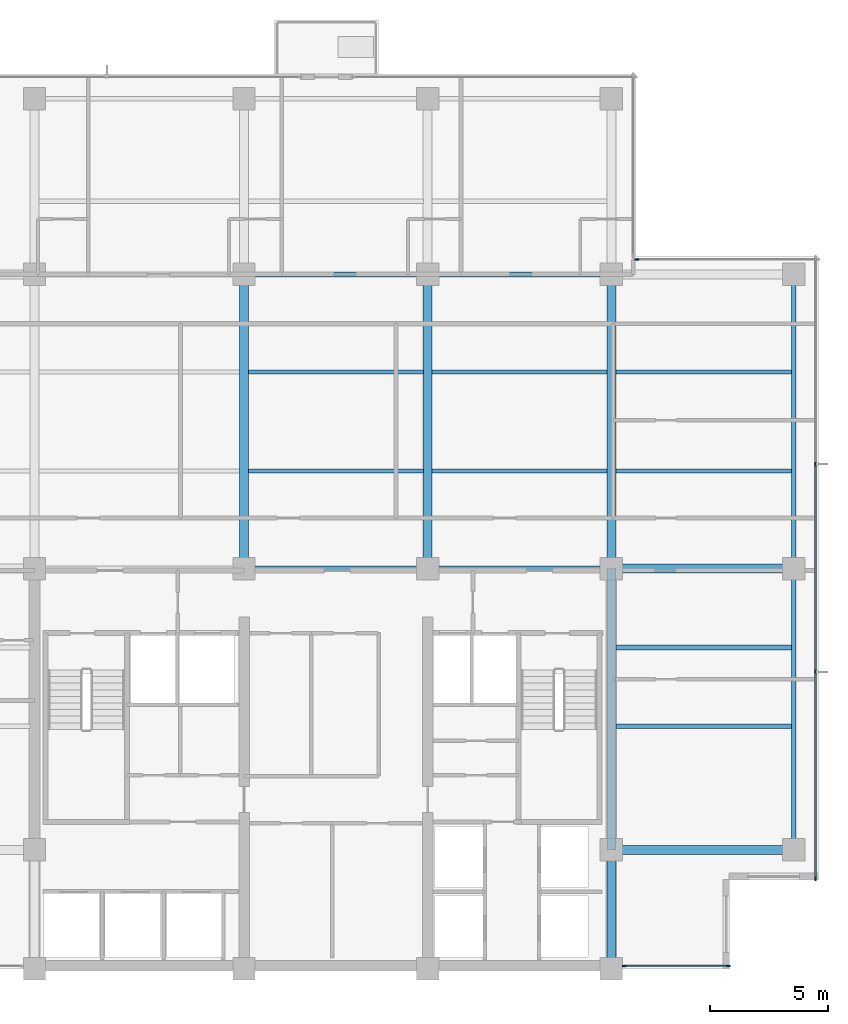
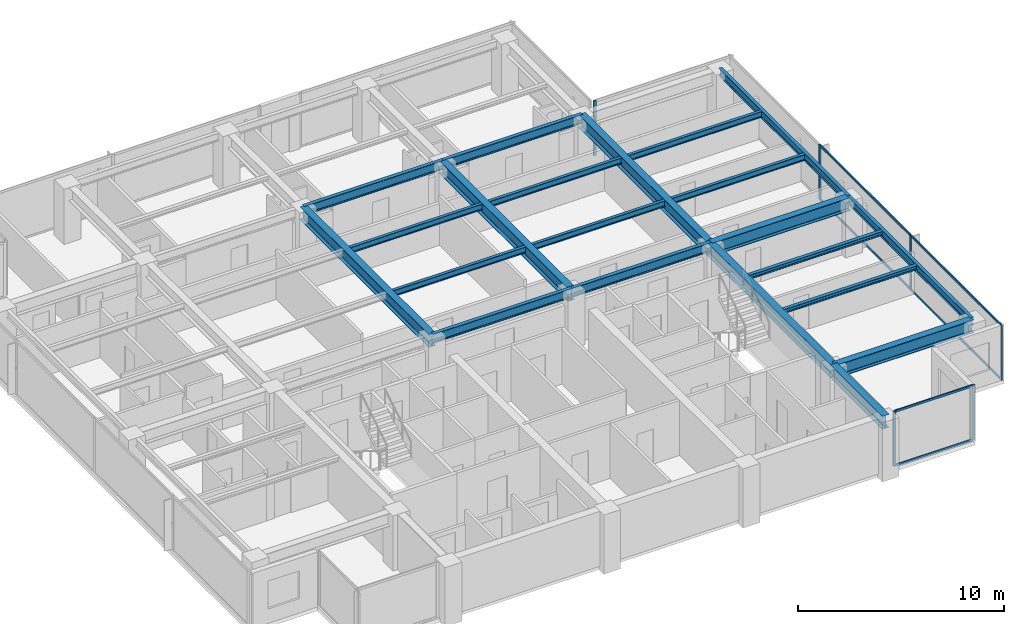
# One storey, part 3 of 15: 21 beams, 12 members, 3 elements without a shape of their own.
"""IFC4 building model written with IfcOpenShell, lengths in metres."""

import ifcopenshell
import ifcopenshell.guid

model = None  # the IFC model being written
_history = None  # IfcOwnerHistory: only IFC2X3 demands one
_inside = {}  # id of a spatial element -> (the spatial element, [elements in it])
_under = {}  # id of a project, library or spatial element -> (it, [spatial elements below it])
_declared = {}  # id of a project -> (the project, [libraries it declares])
_typed = {}  # id of a type object -> (the type object, [elements of that type])
_made_of = {}  # id of a material, layer set ... -> (it, [elements and type objects made of it])


def new_model(schema):
    """Start an empty IFC model of exactly this schema.

    Asked for "IFC4X3", IfcOpenShell would pick the latest addendum, in which some entities
    have other attributes; the version numbers below select the first issue.
    IFC2X3 requires an IfcOwnerHistory on every rooted entity: one is made here for all.
    """
    global model, _history
    if schema == "IFC4X3":
        model = ifcopenshell.file(schema_version=(4, 3, 0, 0))
    else:
        model = ifcopenshell.file(schema=schema)
    _inside.clear()
    _under.clear()
    _declared.clear()
    _typed.clear()
    _made_of.clear()
    _history = None
    if model.schema == "IFC2X3":
        org = make("IfcOrganization", Name="unknown")
        user = make(
            "IfcPersonAndOrganization",
            ThePerson=make("IfcPerson", FamilyName="unknown"),
            TheOrganization=org,
        )
        app = make(
            "IfcApplication",
            ApplicationDeveloper=org,
            Version="unknown",
            ApplicationFullName="unknown",
            ApplicationIdentifier="unknown",
        )
        _history = make(
            "IfcOwnerHistory",
            OwningUser=user,
            OwningApplication=app,
            ChangeAction="ADDED",
            CreationDate=0,
        )
    return model


def make(cls, **values):
    """One entity of the class cls with the attributes given. An attribute that is None is left unset."""
    return model.create_entity(
        cls, **{name: value for name, value in values.items() if value is not None}
    )


def rooted(cls, **values):
    """An entity with a GlobalId (a new one), such as an element, a storey or a relation."""
    return make(cls, GlobalId=ifcopenshell.guid.new(), OwnerHistory=_history, **values)


def si_unit(unit_type, name, prefix=None):
    """IfcSIUnit, for example si_unit("LENGTHUNIT", "METRE", prefix="MILLI")."""
    return make("IfcSIUnit", UnitType=unit_type, Prefix=prefix, Name=name)


def assignment(units):
    """IfcUnitAssignment: the units of a project."""
    return None if units is None else make("IfcUnitAssignment", Units=units)


def point(xyz):
    """IfcCartesianPoint."""
    return None if xyz is None else make("IfcCartesianPoint", Coordinates=xyz)


def direction(xyz):
    """IfcDirection."""
    return None if xyz is None else make("IfcDirection", DirectionRatios=xyz)


def frame(location, z_axis=None, x_axis=None):
    """IfcAxis2Placement3D, a coordinate frame: its origin and axes. An axis left out is left unset."""
    return make(
        "IfcAxis2Placement3D",
        Location=point(location),
        Axis=direction(z_axis),
        RefDirection=direction(x_axis),
    )


def frame_2d(location, x_axis=None):
    """IfcAxis2Placement2D, a coordinate frame in the plane: its origin and x axis."""
    return make(
        "IfcAxis2Placement2D", Location=point(location), RefDirection=direction(x_axis)
    )


def origin():
    """The frame at (0, 0, 0) with its axes left unset."""
    return frame((0.0, 0.0, 0.0))


def origin_2d():
    """The frame at (0, 0) in the plane with its x axis left unset."""
    return frame_2d((0.0, 0.0))


def place(relative_to, where):
    """IfcLocalPlacement: puts the frame where relative to a parent placement (None: the world)."""
    return make(
        "IfcLocalPlacement", PlacementRelTo=relative_to, RelativePlacement=where
    )


def context(
    kind, dimensions, precision=None, world=None, true_north=None, identifier=None
):
    """IfcGeometricRepresentationContext, for example the 3D "Model" context."""
    return make(
        "IfcGeometricRepresentationContext",
        ContextIdentifier=identifier,
        ContextType=kind,
        CoordinateSpaceDimension=dimensions,
        Precision=precision,
        WorldCoordinateSystem=world,
        TrueNorth=true_north,
    )


def subcontext(parent, identifier, kind, view, scale=None):
    """IfcGeometricRepresentationSubContext, for example "Body" below "Model"."""
    return make(
        "IfcGeometricRepresentationSubContext",
        ContextIdentifier=identifier,
        ContextType=kind,
        ParentContext=parent,
        TargetScale=scale,
        TargetView=view,
    )


def project(units=None, contexts=None):
    """IfcProject with its units and contexts."""
    return rooted(
        "IfcProject",
        Name="project",
        RepresentationContexts=contexts,
        UnitsInContext=assignment(units),
    )


def spatial(cls, under=None, at=None, **own):
    """A site, building, storey or space (cls), placed at a placement, below another one or the project."""
    s = rooted(cls, ObjectPlacement=at, **own)
    if under is not None:
        _under.setdefault(under.id(), (under, []))[1].append(s)
    return s


def profile(cls, at=None, kind="AREA", **sizes):
    """A parametric profile (cls). Its sizes go by their IFC names, for example OverallWidth=200.0."""
    return make(cls, ProfileType=kind, Position=at, **sizes)


def rectangle(**sizes):
    """IfcRectangleProfileDef."""
    return profile("IfcRectangleProfileDef", **sizes)


def i_section(**sizes):
    """IfcIShapeProfileDef."""
    return profile("IfcIShapeProfileDef", **sizes)


def extrude(swept, where, along, depth):
    """IfcExtrudedAreaSolid: the profile swept, set in the frame where, extruded along a direction by depth."""
    return make(
        "IfcExtrudedAreaSolid",
        SweptArea=swept,
        Position=where,
        ExtrudedDirection=direction(along),
        Depth=depth,
    )


def shape(context_of_items, identifier, shape_type, items):
    """IfcShapeRepresentation: the items that make up one representation, for example the "Body"."""
    return make(
        "IfcShapeRepresentation",
        ContextOfItems=context_of_items,
        RepresentationIdentifier=identifier,
        RepresentationType=shape_type,
        Items=items,
    )


def material(Name=None, Category=None):
    """IfcMaterial."""
    return make("IfcMaterial", Name=Name, Category=Category)


def layer(
    of_material, thickness, ventilated=None, Name=None, Category=None, Priority=None
):
    """IfcMaterialLayer: one layer of a wall or slab, of a material (None: an air gap)."""
    return make(
        "IfcMaterialLayer",
        Material=of_material,
        LayerThickness=thickness,
        IsVentilated=ventilated,
        Name=Name,
        Category=Category,
        Priority=Priority,
    )


def layer_set(layers, Name=None):
    """IfcMaterialLayerSet."""
    return make("IfcMaterialLayerSet", MaterialLayers=layers, LayerSetName=Name)


def material_profile(
    of_material, cross_section, Name=None, Category=None, Priority=None
):
    """IfcMaterialProfile: a cross section and its material."""
    return make(
        "IfcMaterialProfile",
        Name=Name,
        Material=of_material,
        Profile=cross_section,
        Priority=Priority,
        Category=Category,
    )


def profile_set(profiles, Name=None, composite=None):
    """IfcMaterialProfileSet."""
    return make(
        "IfcMaterialProfileSet",
        Name=Name,
        MaterialProfiles=profiles,
        CompositeProfile=composite,
    )


def made_of(thing, what):
    """Note that an element or type object is made of a material, layer set ...; save() writes the relation."""
    if what is not None:
        _made_of.setdefault(what.id(), (what, []))[1].append(thing)
    return thing


def type_object(cls, material=None, **own):
    """A type object (cls), such as IfcWallType, which elements share."""
    return made_of(rooted(cls, **own), material)


def element(
    cls,
    number,
    at=None,
    inside=None,
    cuts=None,
    type_object=None,
    material=None,
    context=None,
    identifier="Body",
    shape_type=None,
    held_by="IfcProductDefinitionShape",
    body=None,
    shapes=None,
    **own,
):
    """One element of the class cls, such as IfcWall. Its Tag is "e" and its number.

    at: its placement. inside: the storey or other place that contains it. cuts: it is an
    opening in that element (IfcRelVoidsElement). A single representation is given by context,
    identifier, shape_type and body (its items); several are given by shapes. held_by: the class
    of the entity that holds the representations. save() writes the other relations.
    """
    e = rooted(cls, Tag="e%d" % number, ObjectPlacement=at, **own)
    if body is not None:
        shapes = [shape(context, identifier, shape_type, body)]
    if shapes is not None:
        e.Representation = make(held_by, Representations=shapes)
    if inside is not None:
        _inside.setdefault(inside.id(), (inside, []))[1].append(e)
    if cuts is not None:
        rooted(
            "IfcRelVoidsElement", RelatingBuildingElement=cuts, RelatedOpeningElement=e
        )
    if type_object is not None:
        _typed.setdefault(type_object.id(), (type_object, []))[1].append(e)
    return made_of(e, material)


def aggregate(whole, parts):
    """IfcRelAggregates: a whole, such as a stair, and the parts it consists of."""
    return rooted("IfcRelAggregates", RelatingObject=whole, RelatedObjects=parts)


def save(model, path):
    """Write the relations noted so far, then the file.

    IfcRelAggregates (storeys below a building ...), IfcRelContainedInSpatialStructure (elements
    in a storey), IfcRelDefinesByType, IfcRelAssociatesMaterial and IfcRelDeclares: one each for
    every whole, place, type object, material and project.
    """
    for whole, parts in _under.values():
        aggregate(whole, parts)
    for where, things in _inside.values():
        rooted(
            "IfcRelContainedInSpatialStructure",
            RelatedElements=things,
            RelatingStructure=where,
        )
    for kind, things in _typed.values():
        rooted("IfcRelDefinesByType", RelatedObjects=things, RelatingType=kind)
    for what, things in _made_of.values():
        rooted("IfcRelAssociatesMaterial", RelatedObjects=things, RelatingMaterial=what)
    for by, libraries in _declared.values():
        rooted("IfcRelDeclares", RelatingContext=by, RelatedDefinitions=libraries)
    model.write(path)


model = new_model("IFC4")

# Units and contexts
model_context = context("Model", 3, precision=1e-05, world=origin(), true_north=direction((0.0, 1.0)))
body_context = subcontext(model_context, "Body", "Model", "MODEL_VIEW")
ifc_project = project(units=[si_unit("LENGTHUNIT", "METRE"), si_unit("AREAUNIT", "SQUARE_METRE"), si_unit("VOLUMEUNIT", "CUBIC_METRE"), si_unit("PLANEANGLEUNIT", "RADIAN"), si_unit("MASSUNIT", "GRAM", prefix="KILO")], contexts=[model_context])

# Site, building, storey
site_placement = place(None, origin())
site = spatial("IfcSite", under=ifc_project, at=site_placement, CompositionType="ELEMENT")
building_placement = place(site_placement, origin())
building = spatial("IfcBuilding", under=site, at=building_placement, Name="Qalmaran Belvedere Hotel", CompositionType="ELEMENT")
storey_placement = place(building_placement, frame((0.0, 0.0, 214.39990234375)))
storey = spatial("IfcBuildingStorey", under=building, at=storey_placement, Name="L54", CompositionType="ELEMENT", Elevation=214.39990234375)

# Beams
ifc_material_1 = material(Name="Steel S355JR", Category="steel")
ifc_material_profile_1 = material_profile(ifc_material_1, i_section(OverallWidth=0.201904296875, OverallDepth=0.2470703125, WebThickness=0.00732421875, FlangeThickness=0.010986328125, FilletRadius=0.011962890625, at=origin_2d()), Name="W250X49")
ifc_profile_set_1 = profile_set([ifc_material_profile_1], Name="Steel S355JR")
beam_type_1 = type_object("IfcBeamType", Name="BM-JST-W250X49", PredefinedType="JOIST", material=ifc_profile_set_1)
for number, where, z_axis, x_axis, name in (
    (1, (44.988525390625, 13.800048828125, 3.13671875), (1.0, 0.0, 0.0), (0.0, 1.0, 0.0), "L54 East Wing Joist 039"),
    (2, (44.988525390625, 17.14990234375, 3.13671875), (1.0, 0.0, 0.0), (0.0, 1.0, 0.0), "L54 East Wing Joist 041"),
):
    element("IfcBeam", number, at=place(storey_placement, frame(where, z_axis=z_axis, x_axis=x_axis)), inside=storey, type_object=beam_type_1, Name=name, PredefinedType="JOIST", context=body_context, shape_type="SweptSolid", body=[
        extrude(i_section(OverallWidth=0.201904296875, OverallDepth=0.2470703125, WebThickness=0.00732421875, FlangeThickness=0.010986328125, FilletRadius=0.011962890625, at=origin_2d()), origin(), (0.0, 0.0, 1.0), 7.467529296875),
    ])
ifc_material_profile_2 = material_profile(ifc_material_1, i_section(OverallWidth=0.381103515625, OverallDepth=0.77294921875, WebThickness=0.0166015625, FlangeThickness=0.027099609375, FilletRadius=0.02197265625, at=origin_2d()), Name="W760X257")
ifc_profile_set_2 = profile_set([ifc_material_profile_2], Name="Steel S355JR")
beam_type_2 = type_object("IfcBeamType", Name="BM-PG4-W760X257", PredefinedType="USERDEFINED", material=ifc_profile_set_2)
for number, where, z_axis, x_axis, name in (
    (3, (29.199951171875, 20.5, 2.87353515625), (0.0, 1.0, 0.0), (-1.0, 0.0, 0.0), "L54 Mid-Plate N-S Girder 16"),
    (4, (37.0, 20.5, 2.87353515625), (0.0, 1.0, 0.0), (-1.0, 0.0, 0.0), "L54 Mid-Plate N-S Girder 18"),
    (5, (44.800048828125, 20.5, 2.87353515625), (0.0, 1.0, 0.0), (-1.0, 0.0, 0.0), "L54 Mid-Plate N-S Girder 20"),
):
    element("IfcBeam", number, at=place(storey_placement, frame(where, z_axis=z_axis, x_axis=x_axis)), inside=storey, type_object=beam_type_2, Name=name, ObjectType="GIRDER", PredefinedType="USERDEFINED", context=body_context, shape_type="SweptSolid", body=[
        extrude(i_section(OverallWidth=0.381103515625, OverallDepth=0.77294921875, WebThickness=0.0166015625, FlangeThickness=0.027099609375, FilletRadius=0.02197265625, at=origin_2d()), origin(), (0.0, 0.0, 1.0), 12.5),
    ])
beam_1_placement = place(storey_placement, frame((44.800048828125, 3.5, 2.87353515625), z_axis=(0.0, 1.0, 0.0), x_axis=(-1.0, 0.0, 0.0)))
element("IfcBeam", 6, at=beam_1_placement, inside=storey, type_object=beam_type_2, Name="L54 East Core Edge Girder A", ObjectType="GIRDER", PredefinedType="USERDEFINED", context=body_context, shape_type="SweptSolid", body=[
    extrude(i_section(OverallWidth=0.381103515625, OverallDepth=0.77294921875, WebThickness=0.0166015625, FlangeThickness=0.027099609375, FilletRadius=0.02197265625, at=origin_2d()), origin(), (0.0, 0.0, 1.0), 5.050048828125),
])
beam_2_placement = place(storey_placement, frame((44.800048828125, 8.550048828125, 2.87353515625), z_axis=(0.0, 1.0, 0.0), x_axis=(-1.0, 0.0, 0.0)))
element("IfcBeam", 7, at=beam_2_placement, inside=storey, type_object=beam_type_2, Name="L54 East Core Edge Girder B", ObjectType="GIRDER", PredefinedType="USERDEFINED", context=body_context, shape_type="SweptSolid", body=[
    extrude(i_section(OverallWidth=0.381103515625, OverallDepth=0.77294921875, WebThickness=0.0166015625, FlangeThickness=0.027099609375, FilletRadius=0.02197265625, at=origin_2d()), origin(), (0.0, 0.0, 1.0), 11.949951171875),
])
for number, where, z_axis, x_axis, name in (
    (8, (44.800048828125, 8.550048828125, 2.87353515625), (1.0, 0.0, 0.0), (0.0, 1.0, 0.0), "L54 East Wing Girder 25"),
    (9, (44.800048828125, 20.5, 2.87353515625), (1.0, 0.0, 0.0), (0.0, 1.0, 0.0), "L54 East Wing Girder 26"),
):
    element("IfcBeam", number, at=place(storey_placement, frame(where, z_axis=z_axis, x_axis=x_axis)), inside=storey, type_object=beam_type_2, Name=name, ObjectType="GIRDER", PredefinedType="USERDEFINED", context=body_context, shape_type="SweptSolid", body=[
        extrude(i_section(OverallWidth=0.381103515625, OverallDepth=0.77294921875, WebThickness=0.0166015625, FlangeThickness=0.027099609375, FilletRadius=0.02197265625, at=origin_2d()), origin(), (0.0, 0.0, 1.0), 7.75),
    ])
ifc_material_profile_3 = material_profile(ifc_material_1, i_section(OverallWidth=0.172119140625, OverallDepth=0.35791015625, WebThickness=0.0078125, FlangeThickness=0.01318359375, FilletRadius=0.014892578125, at=origin_2d()), Name="W360X57")
ifc_profile_set_3 = profile_set([ifc_material_profile_3], Name="Steel S355JR")
beam_type_3 = type_object("IfcBeamType", Name="BM-SB4-W360X57", PredefinedType="BEAM", material=ifc_profile_set_3)
for number, where, z_axis, x_axis, name in (
    (10, (29.388427734375, 24.64990234375, 3.0810546875), (1.0, 0.0, 0.0), (0.0, 1.0, 0.0), "L54 Secondary Floor Beam 030"),
    (11, (37.1884765625, 24.64990234375, 3.0810546875), (1.0, 0.0, 0.0), (0.0, 1.0, 0.0), "L54 Secondary Floor Beam 031"),
):
    element("IfcBeam", number, at=place(storey_placement, frame(where, z_axis=z_axis, x_axis=x_axis)), inside=storey, type_object=beam_type_3, Name=name, PredefinedType="BEAM", context=body_context, shape_type="SweptSolid", body=[
        extrude(i_section(OverallWidth=0.172119140625, OverallDepth=0.35791015625, WebThickness=0.0078125, FlangeThickness=0.01318359375, FilletRadius=0.014892578125, at=origin_2d()), origin(), (0.0, 0.0, 1.0), 7.423095703125),
    ])
beam_3_placement = place(storey_placement, frame((44.988525390625, 24.64990234375, 3.0810546875), z_axis=(1.0, 0.0, 0.0), x_axis=(0.0, 1.0, 0.0)))
element("IfcBeam", 12, at=beam_3_placement, inside=storey, type_object=beam_type_3, Name="L54 East Secondary Beam 032", PredefinedType="BEAM", context=body_context, shape_type="SweptSolid", body=[
    extrude(i_section(OverallWidth=0.172119140625, OverallDepth=0.35791015625, WebThickness=0.0078125, FlangeThickness=0.01318359375, FilletRadius=0.014892578125, at=origin_2d()), origin(), (0.0, 0.0, 1.0), 7.467529296875),
])
for number, where, z_axis, x_axis, name in (
    (13, (29.388427734375, 28.85009765625, 3.0810546875), (1.0, 0.0, 0.0), (0.0, 1.0, 0.0), "L54 Secondary Floor Beam 035"),
    (14, (37.1884765625, 28.85009765625, 3.0810546875), (1.0, 0.0, 0.0), (0.0, 1.0, 0.0), "L54 Secondary Floor Beam 036"),
):
    element("IfcBeam", number, at=place(storey_placement, frame(where, z_axis=z_axis, x_axis=x_axis)), inside=storey, type_object=beam_type_3, Name=name, PredefinedType="BEAM", context=body_context, shape_type="SweptSolid", body=[
        extrude(i_section(OverallWidth=0.172119140625, OverallDepth=0.35791015625, WebThickness=0.0078125, FlangeThickness=0.01318359375, FilletRadius=0.014892578125, at=origin_2d()), origin(), (0.0, 0.0, 1.0), 7.423095703125),
    ])
beam_4_placement = place(storey_placement, frame((44.988525390625, 28.85009765625, 3.0810546875), z_axis=(1.0, 0.0, 0.0), x_axis=(0.0, 1.0, 0.0)))
element("IfcBeam", 15, at=beam_4_placement, inside=storey, type_object=beam_type_3, Name="L54 East Secondary Beam 037", PredefinedType="BEAM", context=body_context, shape_type="SweptSolid", body=[
    extrude(i_section(OverallWidth=0.172119140625, OverallDepth=0.35791015625, WebThickness=0.0078125, FlangeThickness=0.01318359375, FilletRadius=0.014892578125, at=origin_2d()), origin(), (0.0, 0.0, 1.0), 7.467529296875),
])
ifc_material_profile_4 = material_profile(ifc_material_1, i_section(OverallWidth=0.19189453125, OverallDepth=0.462890625, WebThickness=0.010498046875, FlangeThickness=0.017578125, FilletRadius=0.01611328125, at=origin_2d()), Name="W460X89")
ifc_profile_set_4 = profile_set([ifc_material_profile_4], Name="Steel S355JR")
beam_type_4 = type_object("IfcBeamType", Name="BM-SP2-W460X89", PredefinedType="SPANDREL", material=ifc_profile_set_4)
beam_5_placement = place(storey_placement, frame((52.550048828125, 8.550048828125, 3.028564453125), z_axis=(0.0, 1.0, 0.0), x_axis=(-1.0, 0.0, 0.0)))
element("IfcBeam", 16, at=beam_5_placement, inside=storey, type_object=beam_type_4, Name="L54 Perimeter Spandrel 03", PredefinedType="SPANDREL", context=body_context, shape_type="SweptSolid", body=[
    extrude(i_section(OverallWidth=0.19189453125, OverallDepth=0.462890625, WebThickness=0.010498046875, FlangeThickness=0.017578125, FilletRadius=0.01611328125, at=origin_2d()), origin(), (0.0, 0.0, 1.0), 11.949951171875),
])
beam_6_placement = place(storey_placement, frame((52.550048828125, 20.5, 3.028564453125), z_axis=(0.0, 1.0, 0.0), x_axis=(-1.0, 0.0, 0.0)))
element("IfcBeam", 17, at=beam_6_placement, inside=storey, type_object=beam_type_4, Name="L54 Perimeter Spandrel 04", PredefinedType="SPANDREL", context=body_context, shape_type="SweptSolid", body=[
    extrude(i_section(OverallWidth=0.19189453125, OverallDepth=0.462890625, WebThickness=0.010498046875, FlangeThickness=0.017578125, FilletRadius=0.01611328125, at=origin_2d()), origin(), (0.0, 0.0, 1.0), 12.5),
])
ifc_material_profile_5 = material_profile(ifc_material_1, i_section(OverallWidth=0.2109375, OverallDepth=0.5390625, WebThickness=0.01171875, FlangeThickness=0.018798828125, FilletRadius=0.01806640625, at=origin_2d()), Name="W530X109")
ifc_profile_set_5 = profile_set([ifc_material_profile_5], Name="Steel S355JR")
beam_type_5 = type_object("IfcBeamType", Name="BM-Z4-W530X109", PredefinedType="USERDEFINED", material=ifc_profile_set_5)
for number, where, z_axis, x_axis, name in (
    (18, (29.199951171875, 20.5, 2.990478515625), (1.0, 0.0, 0.0), (0.0, 1.0, 0.0), "L54 Interior E-W Girder 09"),
    (19, (37.0, 20.5, 2.990478515625), (1.0, 0.0, 0.0), (0.0, 1.0, 0.0), "L54 Interior E-W Girder 10"),
    (20, (29.199951171875, 33.0, 2.990478515625), (1.0, 0.0, 0.0), (0.0, 1.0, 0.0), "L54 Interior E-W Girder 12"),
    (21, (37.0, 33.0, 2.990478515625), (1.0, 0.0, 0.0), (0.0, 1.0, 0.0), "L54 Interior E-W Girder 13"),
):
    element("IfcBeam", number, at=place(storey_placement, frame(where, z_axis=z_axis, x_axis=x_axis)), inside=storey, type_object=beam_type_5, Name=name, ObjectType="GIRDER", PredefinedType="USERDEFINED", context=body_context, shape_type="SweptSolid", body=[
        extrude(i_section(OverallWidth=0.2109375, OverallDepth=0.5390625, WebThickness=0.01171875, FlangeThickness=0.018798828125, FilletRadius=0.01806640625, at=origin_2d()), origin(), (0.0, 0.0, 1.0), 7.800048828125),
    ])

# Curtain wall, members
ifc_material_2 = material(Name="Anodised Bronze Aluminium", Category="aluminium")
ifc_layer = layer(ifc_material_2, 0.18994140625, Name="Anodised Bronze Aluminium")
ifc_layer_set = layer_set([ifc_layer], Name="Anodised Bronze Aluminium")
curtain_wall_type = type_object("IfcCurtainWallType", Name="CW5-TOWER-UPPER", PredefinedType="NOTDEFINED", material=ifc_layer_set)
curtain_wall_1_placement = place(storey_placement, origin())
curtain_wall_1 = element("IfcCurtainWall", 22, at=curtain_wall_1_placement, inside=storey, type_object=curtain_wall_type, Name="L54 Curtain Wall CW5", PredefinedType="NOTDEFINED")
ifc_material_profile_6 = material_profile(ifc_material_2, rectangle(XDim=0.06494140625, YDim=0.1650390625, at=origin_2d()), Name="CWM65X165")
ifc_profile_set_6 = profile_set([ifc_material_profile_6], Name="Anodised Bronze Aluminium")
member_type_1 = type_object("IfcMemberType", Name="CWM-65X165", PredefinedType="MULLION", material=ifc_profile_set_6)
member_1_placement = place(storey_placement, frame((45.347412109375, 3.6201171875, 0.0), z_axis=(0.0, 0.0, 1.0), x_axis=(0.0, 1.0, 0.0)))
member_1 = element("IfcMember", 23, at=member_1_placement, type_object=member_type_1, Name="CW5 mullion 1", PredefinedType="MULLION", context=body_context, shape_type="SweptSolid", body=[
    extrude(rectangle(XDim=0.06494140625, YDim=0.1650390625, at=origin_2d()), origin(), (0.0, 0.0, 1.0), 3.260009765625),
])
member_2_placement = place(storey_placement, frame((49.767578125, 3.6201171875, 0.0), z_axis=(0.0, 0.0, 1.0), x_axis=(0.0, 1.0, 0.0)))
member_2 = element("IfcMember", 24, at=member_2_placement, type_object=member_type_1, Name="CW5 mullion 2", PredefinedType="MULLION", context=body_context, shape_type="SweptSolid", body=[
    extrude(rectangle(XDim=0.06494140625, YDim=0.1650390625, at=origin_2d()), origin(), (0.0, 0.0, 1.0), 3.260009765625),
])

curtain_wall_2_placement = place(storey_placement, origin())
curtain_wall_2 = element("IfcCurtainWall", 25, at=curtain_wall_2_placement, inside=storey, type_object=curtain_wall_type, Name="L54 Curtain Wall CW5", PredefinedType="NOTDEFINED")
member_3_placement = place(storey_placement, frame((53.47998046875, 7.33251953125, 0.0), z_axis=(0.0, 0.0, 1.0), x_axis=(-1.0, 0.0, 0.0)))
member_3 = element("IfcMember", 26, at=member_3_placement, type_object=member_type_1, Name="CW5 mullion 1", PredefinedType="MULLION", context=body_context, shape_type="SweptSolid", body=[
    extrude(rectangle(XDim=0.06494140625, YDim=0.1650390625, at=origin_2d()), origin(), (0.0, 0.0, 1.0), 3.260009765625),
])
member_4_placement = place(storey_placement, frame((53.47998046875, 16.11669921875, 0.0), z_axis=(0.0, 0.0, 1.0), x_axis=(-1.0, 0.0, 0.0)))
member_4 = element("IfcMember", 27, at=member_4_placement, type_object=member_type_1, Name="CW5 mullion 2", PredefinedType="MULLION", context=body_context, shape_type="SweptSolid", body=[
    extrude(rectangle(XDim=0.06494140625, YDim=0.1650390625, at=origin_2d()), origin(), (0.0, 0.0, 1.0), 3.260009765625),
])
member_5_placement = place(storey_placement, frame((53.47998046875, 24.933349609375, 0.0), z_axis=(0.0, 0.0, 1.0), x_axis=(-1.0, 0.0, 0.0)))
member_5 = element("IfcMember", 28, at=member_5_placement, type_object=member_type_1, Name="CW5 mullion 3", PredefinedType="MULLION", context=body_context, shape_type="SweptSolid", body=[
    extrude(rectangle(XDim=0.06494140625, YDim=0.1650390625, at=origin_2d()), origin(), (0.0, 0.0, 1.0), 3.260009765625),
])

# Curtain wall, member
curtain_wall_3_placement = place(storey_placement, origin())
curtain_wall_3 = element("IfcCurtainWall", 29, at=curtain_wall_3_placement, inside=storey, type_object=curtain_wall_type, Name="L54 Curtain Wall CW5", PredefinedType="NOTDEFINED")
member_6_placement = place(storey_placement, frame((45.882568359375, 33.6298828125, 0.0), z_axis=(0.0, 0.0, 1.0), x_axis=(0.0, -1.0, 0.0)))
member_6 = element("IfcMember", 30, at=member_6_placement, type_object=member_type_1, Name="CW5 mullion 2", PredefinedType="MULLION", context=body_context, shape_type="SweptSolid", body=[
    extrude(rectangle(XDim=0.06494140625, YDim=0.1650390625, at=origin_2d()), origin(), (0.0, 0.0, 1.0), 3.260009765625),
])
aggregate(curtain_wall_3, [member_6])

# Member
ifc_material_profile_7 = material_profile(ifc_material_2, rectangle(XDim=0.06494140625, YDim=0.1298828125, at=origin_2d()), Name="CWT65X130")
ifc_profile_set_7 = profile_set([ifc_material_profile_7], Name="Anodised Bronze Aluminium")
member_type_2 = type_object("IfcMemberType", Name="CWT-65X130", PredefinedType="USERDEFINED", material=ifc_profile_set_7)
member_7_placement = place(storey_placement, frame((45.3798828125, 3.6201171875, 0.03271484375), z_axis=(1.0, 0.0, 0.0), x_axis=(0.0, 1.0, 0.0)))
member_7 = element("IfcMember", 31, at=member_7_placement, type_object=member_type_2, Name="CW5 transom 1.1", ObjectType="TRANSOM", PredefinedType="USERDEFINED", context=body_context, shape_type="SweptSolid", body=[
    extrude(rectangle(XDim=0.06494140625, YDim=0.1298828125, at=origin_2d()), origin(), (0.0, 0.0, 1.0), 4.355224609375),
])

member_8_placement = place(storey_placement, frame((45.3798828125, 3.6201171875, 3.2275390625), z_axis=(1.0, 0.0, 0.0), x_axis=(0.0, 1.0, 0.0)))
member_8 = element("IfcMember", 32, at=member_8_placement, type_object=member_type_2, Name="CW5 transom 1.2", ObjectType="TRANSOM", PredefinedType="USERDEFINED", context=body_context, shape_type="SweptSolid", body=[
    extrude(rectangle(XDim=0.06494140625, YDim=0.1298828125, at=origin_2d()), origin(), (0.0, 0.0, 1.0), 4.355224609375),
])

aggregate(curtain_wall_1, [member_1, member_2, member_7, member_8])

member_9_placement = place(storey_placement, frame((53.47998046875, 7.364990234375, 0.03271484375), z_axis=(0.0, 1.0, 0.0), x_axis=(-1.0, 0.0, 0.0)))
member_9 = element("IfcMember", 33, at=member_9_placement, type_object=member_type_2, Name="CW5 transom 1.1", ObjectType="TRANSOM", PredefinedType="USERDEFINED", context=body_context, shape_type="SweptSolid", body=[
    extrude(rectangle(XDim=0.06494140625, YDim=0.1298828125, at=origin_2d()), origin(), (0.0, 0.0, 1.0), 8.71923828125),
])

member_10_placement = place(storey_placement, frame((53.47998046875, 7.364990234375, 3.2275390625), z_axis=(0.0, 1.0, 0.0), x_axis=(-1.0, 0.0, 0.0)))
member_10 = element("IfcMember", 34, at=member_10_placement, type_object=member_type_2, Name="CW5 transom 1.2", ObjectType="TRANSOM", PredefinedType="USERDEFINED", context=body_context, shape_type="SweptSolid", body=[
    extrude(rectangle(XDim=0.06494140625, YDim=0.1298828125, at=origin_2d()), origin(), (0.0, 0.0, 1.0), 8.71923828125),
])

member_11_placement = place(storey_placement, frame((53.47998046875, 16.149169921875, 0.03271484375), z_axis=(0.0, 1.0, 0.0), x_axis=(-1.0, 0.0, 0.0)))
member_11 = element("IfcMember", 35, at=member_11_placement, type_object=member_type_2, Name="CW5 transom 2.1", ObjectType="TRANSOM", PredefinedType="USERDEFINED", context=body_context, shape_type="SweptSolid", body=[
    extrude(rectangle(XDim=0.06494140625, YDim=0.1298828125, at=origin_2d()), origin(), (0.0, 0.0, 1.0), 8.751708984375),
])

member_12_placement = place(storey_placement, frame((53.47998046875, 16.149169921875, 3.2275390625), z_axis=(0.0, 1.0, 0.0), x_axis=(-1.0, 0.0, 0.0)))
member_12 = element("IfcMember", 36, at=member_12_placement, type_object=member_type_2, Name="CW5 transom 2.2", ObjectType="TRANSOM", PredefinedType="USERDEFINED", context=body_context, shape_type="SweptSolid", body=[
    extrude(rectangle(XDim=0.06494140625, YDim=0.1298828125, at=origin_2d()), origin(), (0.0, 0.0, 1.0), 8.751708984375),
])

aggregate(curtain_wall_2, [member_3, member_4, member_5, member_9, member_10, member_11, member_12])

save(model, "model.ifc")
